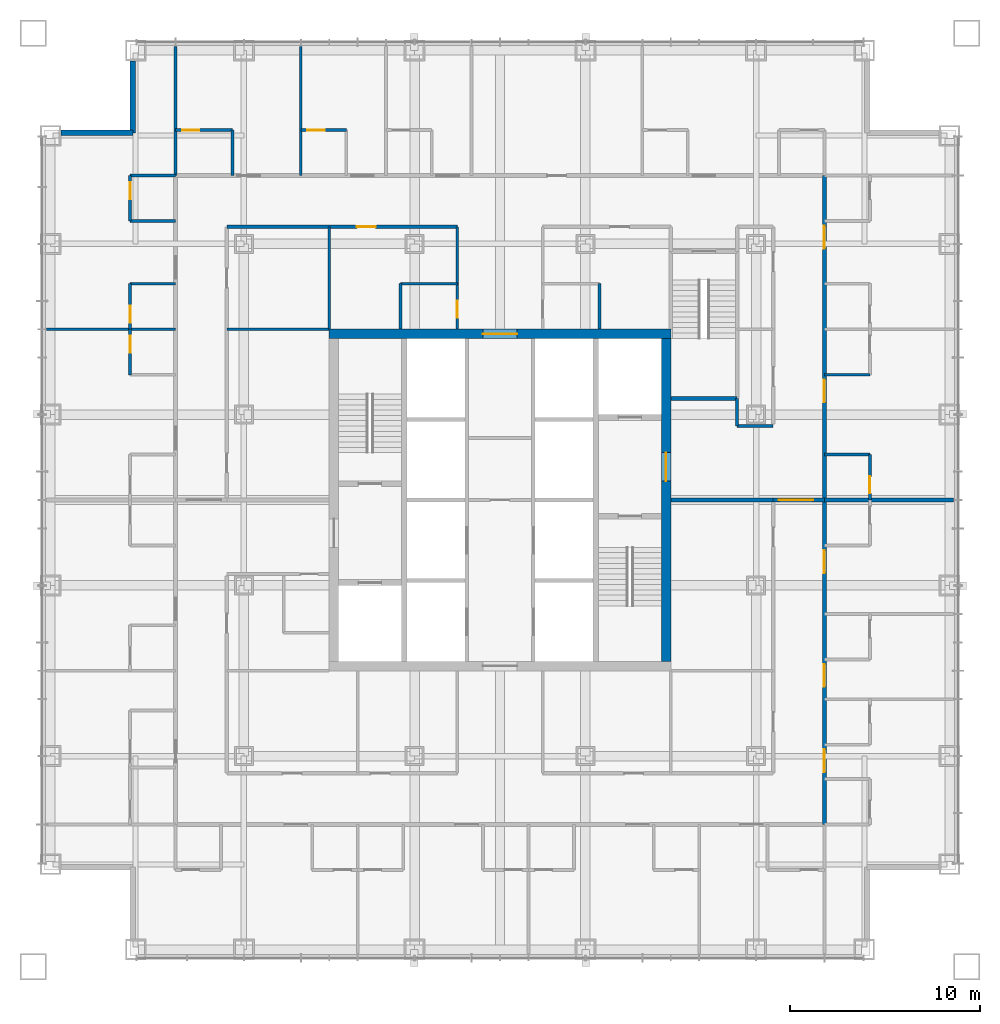
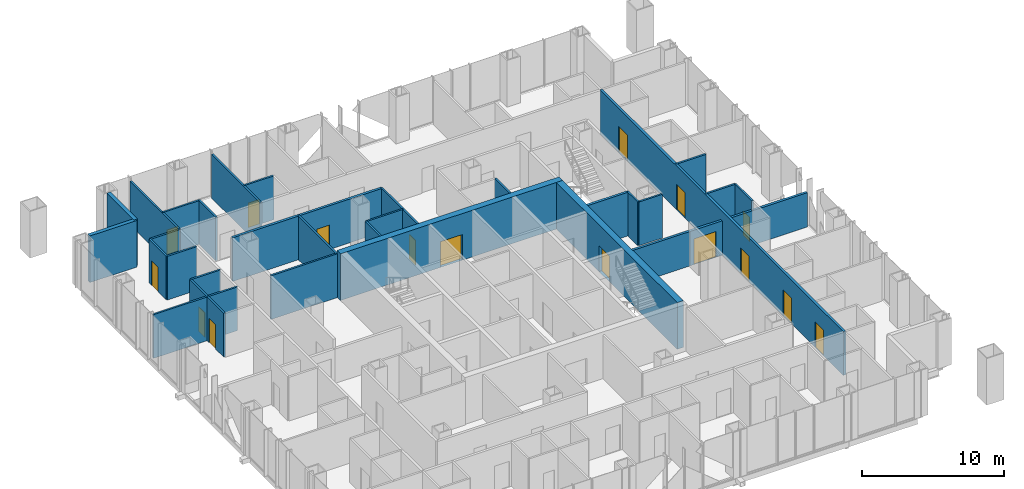
# One storey, part 11 of 16: 33 walls, 16 doors, 16 openings.
"""IFC4 building model written with IfcOpenShell, lengths in metres."""

import ifcopenshell
import ifcopenshell.guid

model = None  # the IFC model being written
_history = None  # IfcOwnerHistory: only IFC2X3 demands one
_inside = {}  # id of a spatial element -> (the spatial element, [elements in it])
_under = {}  # id of a project, library or spatial element -> (it, [spatial elements below it])
_declared = {}  # id of a project -> (the project, [libraries it declares])
_typed = {}  # id of a type object -> (the type object, [elements of that type])
_made_of = {}  # id of a material, layer set ... -> (it, [elements and type objects made of it])


def new_model(schema):
    """Start an empty IFC model of exactly this schema.

    Asked for "IFC4X3", IfcOpenShell would pick the latest addendum, in which some entities
    have other attributes; the version numbers below select the first issue.
    IFC2X3 requires an IfcOwnerHistory on every rooted entity: one is made here for all.
    """
    global model, _history
    if schema == "IFC4X3":
        model = ifcopenshell.file(schema_version=(4, 3, 0, 0))
    else:
        model = ifcopenshell.file(schema=schema)
    _inside.clear()
    _under.clear()
    _declared.clear()
    _typed.clear()
    _made_of.clear()
    _history = None
    if model.schema == "IFC2X3":
        org = make("IfcOrganization", Name="unknown")
        user = make(
            "IfcPersonAndOrganization",
            ThePerson=make("IfcPerson", FamilyName="unknown"),
            TheOrganization=org,
        )
        app = make(
            "IfcApplication",
            ApplicationDeveloper=org,
            Version="unknown",
            ApplicationFullName="unknown",
            ApplicationIdentifier="unknown",
        )
        _history = make(
            "IfcOwnerHistory",
            OwningUser=user,
            OwningApplication=app,
            ChangeAction="ADDED",
            CreationDate=0,
        )
    return model


def make(cls, **values):
    """One entity of the class cls with the attributes given. An attribute that is None is left unset."""
    return model.create_entity(
        cls, **{name: value for name, value in values.items() if value is not None}
    )


def rooted(cls, **values):
    """An entity with a GlobalId (a new one), such as an element, a storey or a relation."""
    return make(cls, GlobalId=ifcopenshell.guid.new(), OwnerHistory=_history, **values)


def si_unit(unit_type, name, prefix=None):
    """IfcSIUnit, for example si_unit("LENGTHUNIT", "METRE", prefix="MILLI")."""
    return make("IfcSIUnit", UnitType=unit_type, Prefix=prefix, Name=name)


def assignment(units):
    """IfcUnitAssignment: the units of a project."""
    return None if units is None else make("IfcUnitAssignment", Units=units)


def point(xyz):
    """IfcCartesianPoint."""
    return None if xyz is None else make("IfcCartesianPoint", Coordinates=xyz)


def direction(xyz):
    """IfcDirection."""
    return None if xyz is None else make("IfcDirection", DirectionRatios=xyz)


def frame(location, z_axis=None, x_axis=None):
    """IfcAxis2Placement3D, a coordinate frame: its origin and axes. An axis left out is left unset."""
    return make(
        "IfcAxis2Placement3D",
        Location=point(location),
        Axis=direction(z_axis),
        RefDirection=direction(x_axis),
    )


def frame_2d(location, x_axis=None):
    """IfcAxis2Placement2D, a coordinate frame in the plane: its origin and x axis."""
    return make(
        "IfcAxis2Placement2D", Location=point(location), RefDirection=direction(x_axis)
    )


def origin():
    """The frame at (0, 0, 0) with its axes left unset."""
    return frame((0.0, 0.0, 0.0))


def place(relative_to, where):
    """IfcLocalPlacement: puts the frame where relative to a parent placement (None: the world)."""
    return make(
        "IfcLocalPlacement", PlacementRelTo=relative_to, RelativePlacement=where
    )


def context(
    kind, dimensions, precision=None, world=None, true_north=None, identifier=None
):
    """IfcGeometricRepresentationContext, for example the 3D "Model" context."""
    return make(
        "IfcGeometricRepresentationContext",
        ContextIdentifier=identifier,
        ContextType=kind,
        CoordinateSpaceDimension=dimensions,
        Precision=precision,
        WorldCoordinateSystem=world,
        TrueNorth=true_north,
    )


def subcontext(parent, identifier, kind, view, scale=None):
    """IfcGeometricRepresentationSubContext, for example "Body" below "Model"."""
    return make(
        "IfcGeometricRepresentationSubContext",
        ContextIdentifier=identifier,
        ContextType=kind,
        ParentContext=parent,
        TargetScale=scale,
        TargetView=view,
    )


def project(units=None, contexts=None):
    """IfcProject with its units and contexts."""
    return rooted(
        "IfcProject",
        Name="project",
        RepresentationContexts=contexts,
        UnitsInContext=assignment(units),
    )


def spatial(cls, under=None, at=None, **own):
    """A site, building, storey or space (cls), placed at a placement, below another one or the project."""
    s = rooted(cls, ObjectPlacement=at, **own)
    if under is not None:
        _under.setdefault(under.id(), (under, []))[1].append(s)
    return s


def profile(cls, at=None, kind="AREA", **sizes):
    """A parametric profile (cls). Its sizes go by their IFC names, for example OverallWidth=200.0."""
    return make(cls, ProfileType=kind, Position=at, **sizes)


def rectangle(**sizes):
    """IfcRectangleProfileDef."""
    return profile("IfcRectangleProfileDef", **sizes)


def extrude(swept, where, along, depth):
    """IfcExtrudedAreaSolid: the profile swept, set in the frame where, extruded along a direction by depth."""
    return make(
        "IfcExtrudedAreaSolid",
        SweptArea=swept,
        Position=where,
        ExtrudedDirection=direction(along),
        Depth=depth,
    )


def shape(context_of_items, identifier, shape_type, items):
    """IfcShapeRepresentation: the items that make up one representation, for example the "Body"."""
    return make(
        "IfcShapeRepresentation",
        ContextOfItems=context_of_items,
        RepresentationIdentifier=identifier,
        RepresentationType=shape_type,
        Items=items,
    )


def material(Name=None, Category=None):
    """IfcMaterial."""
    return make("IfcMaterial", Name=Name, Category=Category)


def layer(
    of_material, thickness, ventilated=None, Name=None, Category=None, Priority=None
):
    """IfcMaterialLayer: one layer of a wall or slab, of a material (None: an air gap)."""
    return make(
        "IfcMaterialLayer",
        Material=of_material,
        LayerThickness=thickness,
        IsVentilated=ventilated,
        Name=Name,
        Category=Category,
        Priority=Priority,
    )


def layer_set(layers, Name=None):
    """IfcMaterialLayerSet."""
    return make("IfcMaterialLayerSet", MaterialLayers=layers, LayerSetName=Name)


def made_of(thing, what):
    """Note that an element or type object is made of a material, layer set ...; save() writes the relation."""
    if what is not None:
        _made_of.setdefault(what.id(), (what, []))[1].append(thing)
    return thing


def type_object(cls, material=None, **own):
    """A type object (cls), such as IfcWallType, which elements share."""
    return made_of(rooted(cls, **own), material)


def element(
    cls,
    number,
    at=None,
    inside=None,
    cuts=None,
    type_object=None,
    material=None,
    context=None,
    identifier="Body",
    shape_type=None,
    held_by="IfcProductDefinitionShape",
    body=None,
    shapes=None,
    **own,
):
    """One element of the class cls, such as IfcWall. Its Tag is "e" and its number.

    at: its placement. inside: the storey or other place that contains it. cuts: it is an
    opening in that element (IfcRelVoidsElement). A single representation is given by context,
    identifier, shape_type and body (its items); several are given by shapes. held_by: the class
    of the entity that holds the representations. save() writes the other relations.
    """
    e = rooted(cls, Tag="e%d" % number, ObjectPlacement=at, **own)
    if body is not None:
        shapes = [shape(context, identifier, shape_type, body)]
    if shapes is not None:
        e.Representation = make(held_by, Representations=shapes)
    if inside is not None:
        _inside.setdefault(inside.id(), (inside, []))[1].append(e)
    if cuts is not None:
        rooted(
            "IfcRelVoidsElement", RelatingBuildingElement=cuts, RelatedOpeningElement=e
        )
    if type_object is not None:
        _typed.setdefault(type_object.id(), (type_object, []))[1].append(e)
    return made_of(e, material)


def fill(opening, filler):
    """IfcRelFillsElement: the door or window that sits in an opening."""
    return rooted(
        "IfcRelFillsElement",
        RelatingOpeningElement=opening,
        RelatedBuildingElement=filler,
    )


def aggregate(whole, parts):
    """IfcRelAggregates: a whole, such as a stair, and the parts it consists of."""
    return rooted("IfcRelAggregates", RelatingObject=whole, RelatedObjects=parts)


def save(model, path):
    """Write the relations noted so far, then the file.

    IfcRelAggregates (storeys below a building ...), IfcRelContainedInSpatialStructure (elements
    in a storey), IfcRelDefinesByType, IfcRelAssociatesMaterial and IfcRelDeclares: one each for
    every whole, place, type object, material and project.
    """
    for whole, parts in _under.values():
        aggregate(whole, parts)
    for where, things in _inside.values():
        rooted(
            "IfcRelContainedInSpatialStructure",
            RelatedElements=things,
            RelatingStructure=where,
        )
    for kind, things in _typed.values():
        rooted("IfcRelDefinesByType", RelatedObjects=things, RelatingType=kind)
    for what, things in _made_of.values():
        rooted("IfcRelAssociatesMaterial", RelatedObjects=things, RelatingMaterial=what)
    for by, libraries in _declared.values():
        rooted("IfcRelDeclares", RelatingContext=by, RelatedDefinitions=libraries)
    model.write(path)


model = new_model("IFC4")

# Units and contexts
model_context = context("Model", 3, precision=1e-05, world=origin(), true_north=direction((0.0, 1.0)))
body_context = subcontext(model_context, "Body", "Model", "MODEL_VIEW")
ifc_project = project(units=[si_unit("LENGTHUNIT", "METRE"), si_unit("AREAUNIT", "SQUARE_METRE"), si_unit("VOLUMEUNIT", "CUBIC_METRE"), si_unit("PLANEANGLEUNIT", "RADIAN"), si_unit("MASSUNIT", "GRAM", prefix="KILO")], contexts=[model_context])

# Site, building, storey
site_placement = place(None, origin())
site = spatial("IfcSite", under=ifc_project, at=site_placement, CompositionType="ELEMENT")
building_placement = place(site_placement, origin())
building = spatial("IfcBuilding", under=site, at=building_placement, Name="Malebo Sky Hospital", CompositionType="ELEMENT")
storey_placement = place(building_placement, frame((0.0, 0.0, 116.0)))
storey = spatial("IfcBuildingStorey", under=building, at=storey_placement, Name="L27", CompositionType="ELEMENT", Elevation=116.0)

# Wall, opening, door
ifc_material_1 = material(Name="Concrete C80/95", Category="concrete")
ifc_layer_1 = layer(ifc_material_1, 0.5)
ifc_layer_set_1 = layer_set([ifc_layer_1], Name="CORE WALL 500")
wall_type_1 = type_object("IfcWallType", Name="CORE WALL 500", PredefinedType="SHEAR", material=ifc_layer_set_1)
wall_1_placement = place(storey_placement, frame((51.0, 70.75, 0.0), z_axis=(0.0, 0.0, 1.0), x_axis=(1.0, 0.0, 0.0)))
wall_1 = element("IfcWall", 1, at=wall_1_placement, inside=storey, type_object=wall_type_1, Name="Core wall N L27", PredefinedType="SHEAR", context=body_context, shape_type="SweptSolid", body=[
    extrude(rectangle(XDim=18.0, YDim=0.5, at=frame_2d((9.0, 0.0))), origin(), (0.0, 0.0, 1.0), 4.0),
])
opening_1_placement = place(wall_1_placement, frame((8.10009765625, 0.0, 0.0)))
opening_1 = element("IfcOpeningElement", 2, at=opening_1_placement, cuts=wall_1, Name="Opening D06", PredefinedType="OPENING", context=body_context, shape_type="SweptSolid", body=[
    extrude(rectangle(XDim=1.800048828125, YDim=2.199951171875, at=frame_2d((0.89990234375, 1.10009765625))), frame((0.0, 0.260009765625, 0.0), z_axis=(0.0, -1.0, 0.0), x_axis=(1.0, 0.0, 0.0)), (0.0, 0.0, 1.0), 0.52001953125),
])
ifc_material_2 = material(Name="Hardwood-faced door leaf in steel frame", Category="steel")
door_type_1 = type_object("IfcDoorType", Name="LOBBY DOOR PAIR 1800", OperationType="DOUBLE_DOOR_SINGLE_SWING", PredefinedType="DOOR", material=ifc_material_2)
door_1_placement = place(opening_1_placement, origin())
door_1 = element("IfcDoor", 3, at=door_1_placement, inside=storey, type_object=door_type_1, Name="staff rest room door north", OperationType="DOUBLE_DOOR_SINGLE_SWING", OverallHeight=2.199951171875, OverallWidth=1.800048828125, PredefinedType="DOOR", context=body_context, shape_type="SweptSolid", body=[
    extrude(rectangle(XDim=1.800048828125, YDim=2.199951171875, at=frame_2d((0.89990234375, 1.10009765625))), frame((0.0, 0.02490234375, 0.0), z_axis=(0.0, -1.0, 0.0), x_axis=(1.0, 0.0, 0.0)), (0.0, 0.0, 1.0), 0.050048828125),
])
fill(opening_1, door_1)

wall_2_placement = place(storey_placement, frame((68.75, 53.5, 0.0), z_axis=(0.0, 0.0, 1.0), x_axis=(0.0, 1.0, 0.0)))
wall_2 = element("IfcWall", 4, at=wall_2_placement, inside=storey, type_object=wall_type_1, Name="Core wall E L27", PredefinedType="SHEAR", context=body_context, shape_type="SweptSolid", body=[
    extrude(rectangle(XDim=17.0, YDim=0.5, at=frame_2d((8.5, 0.0))), origin(), (0.0, 0.0, 1.0), 4.0),
])
opening_2_placement = place(wall_2_placement, frame((9.5, 0.0, 0.0)))
opening_2 = element("IfcOpeningElement", 5, at=opening_2_placement, cuts=wall_2, Name="Opening D07", PredefinedType="OPENING", context=body_context, shape_type="SweptSolid", body=[
    extrude(rectangle(XDim=1.5, YDim=2.199951171875, at=frame_2d((0.75, 1.10009765625))), frame((0.0, 0.260009765625, 0.0), z_axis=(0.0, -1.0, 0.0), x_axis=(1.0, 0.0, 0.0)), (0.0, 0.0, 1.0), 0.52001953125),
])
door_type_2 = type_object("IfcDoorType", Name="FIRE-FIGHTING LOBBY DOOR PAIR 1500", OperationType="DOUBLE_DOOR_SINGLE_SWING", PredefinedType="DOOR", material=ifc_material_2)
door_2_placement = place(opening_2_placement, origin())
door_2 = element("IfcDoor", 6, at=door_2_placement, inside=storey, type_object=door_type_2, Name="Fire-fighting lobby door east", OperationType="DOUBLE_DOOR_SINGLE_SWING", OverallHeight=2.199951171875, OverallWidth=1.5, PredefinedType="DOOR", context=body_context, shape_type="SweptSolid", body=[
    extrude(rectangle(XDim=1.5, YDim=2.199951171875, at=frame_2d((0.75, 1.10009765625))), frame((0.0, 0.02490234375, 0.0), z_axis=(0.0, -1.0, 0.0), x_axis=(1.0, 0.0, 0.0)), (0.0, 0.0, 1.0), 0.050048828125),
])
fill(opening_2, door_2)

ifc_material_3 = material(Name="Gypsum board on steel studs", Category="steel")
ifc_layer_2 = layer(ifc_material_3, 0.199951171875)
ifc_layer_set_2 = layer_set([ifc_layer_2], Name="CORRIDOR WALL 200")
wall_type_2 = type_object("IfcWallType", Name="CORRIDOR WALL 200", PredefinedType="PARTITIONING", material=ifc_layer_set_2)
wall_3_placement = place(storey_placement, frame((45.60009765625, 76.39990234375, 0.0), z_axis=(0.0, 0.0, 1.0), x_axis=(1.0, 0.0, 0.0)))
wall_3 = element("IfcWall", 7, at=wall_3_placement, inside=storey, type_object=wall_type_2, Name="Corridor Wall 200 NCI1", PredefinedType="PARTITIONING", context=body_context, shape_type="SweptSolid", body=[
    extrude(rectangle(XDim=12.14990234375, YDim=0.199951171875, at=frame_2d((6.074951171875, 0.0))), origin(), (0.0, 0.0, 1.0), 3.75),
])
opening_3_placement = place(wall_3_placement, frame((6.85009765625, 0.0, 0.0)))
opening_3 = element("IfcOpeningElement", 8, at=opening_3_placement, cuts=wall_3, Name="Opening D03", PredefinedType="OPENING", context=body_context, shape_type="SweptSolid", body=[
    extrude(rectangle(XDim=1.0, YDim=2.10009765625, at=frame_2d((0.5, 1.050048828125))), frame((0.0, 0.10986328125, 0.0), z_axis=(0.0, -1.0, 0.0), x_axis=(1.0, 0.0, 0.0)), (0.0, 0.0, 1.0), 0.219970703125),
])
door_type_3 = type_object("IfcDoorType", Name="ROOM DOOR 1000", OperationType="SINGLE_SWING_LEFT", PredefinedType="DOOR", material=ifc_material_2)
door_3_placement = place(opening_3_placement, origin())
door_3 = element("IfcDoor", 9, at=door_3_placement, inside=storey, type_object=door_type_3, Name="Interview room door", OperationType="SINGLE_SWING_LEFT", OverallHeight=2.10009765625, OverallWidth=1.0, PredefinedType="DOOR", context=body_context, shape_type="SweptSolid", body=[
    extrude(rectangle(XDim=1.0, YDim=2.10009765625, at=frame_2d((0.5, 1.050048828125))), frame((0.0, 0.02490234375, 0.0), z_axis=(0.0, -1.0, 0.0), x_axis=(1.0, 0.0, 0.0)), (0.0, 0.0, 1.0), 0.050048828125),
])
fill(opening_3, door_3)

# Wall, openings, doors
wall_4_placement = place(storey_placement, frame((77.10009765625, 79.10009765625, 0.0), z_axis=(0.0, 0.0, 1.0), x_axis=(0.0, -1.0, 0.0)))
wall_4 = element("IfcWall", 10, at=wall_4_placement, inside=storey, type_object=wall_type_2, Name="Corridor Wall 200 ECO", PredefinedType="PARTITIONING", context=body_context, shape_type="SweptSolid", body=[
    extrude(rectangle(XDim=34.2001953125, YDim=0.199951171875, at=frame_2d((17.10009765625, 0.0))), origin(), (0.0, 0.0, 1.0), 3.75),
])
opening_4_placement = place(wall_4_placement, frame((2.64990234375, 0.0, 0.0)))
opening_4 = element("IfcOpeningElement", 11, at=opening_4_placement, cuts=wall_4, Name="Opening D01", PredefinedType="OPENING", context=body_context, shape_type="SweptSolid", body=[
    extrude(rectangle(XDim=1.199951171875, YDim=2.199951171875, at=frame_2d((0.60009765625, 1.10009765625))), frame((0.0, 0.10986328125, 0.0), z_axis=(0.0, -1.0, 0.0), x_axis=(1.0, 0.0, 0.0)), (0.0, 0.0, 1.0), 0.219970703125),
])
opening_5_placement = place(wall_4_placement, frame((10.75, 0.0, 0.0)))
opening_5 = element("IfcOpeningElement", 12, at=opening_5_placement, cuts=wall_4, Name="Opening D01", PredefinedType="OPENING", context=body_context, shape_type="SweptSolid", body=[
    extrude(rectangle(XDim=1.199951171875, YDim=2.199951171875, at=frame_2d((0.60009765625, 1.10009765625))), frame((0.0, 0.10986328125, 0.0), z_axis=(0.0, -1.0, 0.0), x_axis=(1.0, 0.0, 0.0)), (0.0, 0.0, 1.0), 0.219970703125),
])
opening_6_placement = place(wall_4_placement, frame((19.75, 0.0, 0.0)))
opening_6 = element("IfcOpeningElement", 13, at=opening_6_placement, cuts=wall_4, Name="Opening D01", PredefinedType="OPENING", context=body_context, shape_type="SweptSolid", body=[
    extrude(rectangle(XDim=1.199951171875, YDim=2.199951171875, at=frame_2d((0.60009765625, 1.10009765625))), frame((0.0, 0.10986328125, 0.0), z_axis=(0.0, -1.0, 0.0), x_axis=(1.0, 0.0, 0.0)), (0.0, 0.0, 1.0), 0.219970703125),
])
opening_7_placement = place(wall_4_placement, frame((25.75, 0.0, 0.0)))
opening_7 = element("IfcOpeningElement", 14, at=opening_7_placement, cuts=wall_4, Name="Opening D01", PredefinedType="OPENING", context=body_context, shape_type="SweptSolid", body=[
    extrude(rectangle(XDim=1.199951171875, YDim=2.199951171875, at=frame_2d((0.60009765625, 1.10009765625))), frame((0.0, 0.10986328125, 0.0), z_axis=(0.0, -1.0, 0.0), x_axis=(1.0, 0.0, 0.0)), (0.0, 0.0, 1.0), 0.219970703125),
])
opening_8_placement = place(wall_4_placement, frame((30.25, 0.0, 0.0)))
opening_8 = element("IfcOpeningElement", 15, at=opening_8_placement, cuts=wall_4, Name="Opening D01", PredefinedType="OPENING", context=body_context, shape_type="SweptSolid", body=[
    extrude(rectangle(XDim=1.199951171875, YDim=2.199951171875, at=frame_2d((0.60009765625, 1.10009765625))), frame((0.0, 0.10986328125, 0.0), z_axis=(0.0, -1.0, 0.0), x_axis=(1.0, 0.0, 0.0)), (0.0, 0.0, 1.0), 0.219970703125),
])
door_type_4 = type_object("IfcDoorType", Name="BED DOOR 1200", OperationType="SINGLE_SWING_LEFT", PredefinedType="DOOR", material=ifc_material_2)
door_4_placement = place(opening_4_placement, origin())
door_4 = element("IfcDoor", 16, at=door_4_placement, inside=storey, type_object=door_type_4, Name="Four-bed bay door", OperationType="SINGLE_SWING_LEFT", OverallHeight=2.199951171875, OverallWidth=1.199951171875, PredefinedType="DOOR", context=body_context, shape_type="SweptSolid", body=[
    extrude(rectangle(XDim=1.199951171875, YDim=2.199951171875, at=frame_2d((0.60009765625, 1.10009765625))), frame((0.0, 0.02490234375, 0.0), z_axis=(0.0, -1.0, 0.0), x_axis=(1.0, 0.0, 0.0)), (0.0, 0.0, 1.0), 0.050048828125),
])
fill(opening_4, door_4)
door_5_placement = place(opening_5_placement, origin())
door_5 = element("IfcDoor", 17, at=door_5_placement, inside=storey, type_object=door_type_4, Name="Four-bed bay door", OperationType="SINGLE_SWING_LEFT", OverallHeight=2.199951171875, OverallWidth=1.199951171875, PredefinedType="DOOR", context=body_context, shape_type="SweptSolid", body=[
    extrude(rectangle(XDim=1.199951171875, YDim=2.199951171875, at=frame_2d((0.60009765625, 1.10009765625))), frame((0.0, 0.02490234375, 0.0), z_axis=(0.0, -1.0, 0.0), x_axis=(1.0, 0.0, 0.0)), (0.0, 0.0, 1.0), 0.050048828125),
])
fill(opening_5, door_5)
door_6_placement = place(opening_6_placement, origin())
door_6 = element("IfcDoor", 18, at=door_6_placement, inside=storey, type_object=door_type_4, Name="Single bed room door", OperationType="SINGLE_SWING_LEFT", OverallHeight=2.199951171875, OverallWidth=1.199951171875, PredefinedType="DOOR", context=body_context, shape_type="SweptSolid", body=[
    extrude(rectangle(XDim=1.199951171875, YDim=2.199951171875, at=frame_2d((0.60009765625, 1.10009765625))), frame((0.0, 0.02490234375, 0.0), z_axis=(0.0, -1.0, 0.0), x_axis=(1.0, 0.0, 0.0)), (0.0, 0.0, 1.0), 0.050048828125),
])
fill(opening_6, door_6)
door_7_placement = place(opening_7_placement, origin())
door_7 = element("IfcDoor", 19, at=door_7_placement, inside=storey, type_object=door_type_4, Name="Single bed room door", OperationType="SINGLE_SWING_LEFT", OverallHeight=2.199951171875, OverallWidth=1.199951171875, PredefinedType="DOOR", context=body_context, shape_type="SweptSolid", body=[
    extrude(rectangle(XDim=1.199951171875, YDim=2.199951171875, at=frame_2d((0.60009765625, 1.10009765625))), frame((0.0, 0.02490234375, 0.0), z_axis=(0.0, -1.0, 0.0), x_axis=(1.0, 0.0, 0.0)), (0.0, 0.0, 1.0), 0.050048828125),
])
fill(opening_7, door_7)
door_8_placement = place(opening_8_placement, origin())
door_8 = element("IfcDoor", 20, at=door_8_placement, inside=storey, type_object=door_type_4, Name="Four-bed bay door", OperationType="SINGLE_SWING_LEFT", OverallHeight=2.199951171875, OverallWidth=1.199951171875, PredefinedType="DOOR", context=body_context, shape_type="SweptSolid", body=[
    extrude(rectangle(XDim=1.199951171875, YDim=2.199951171875, at=frame_2d((0.60009765625, 1.10009765625))), frame((0.0, 0.02490234375, 0.0), z_axis=(0.0, -1.0, 0.0), x_axis=(1.0, 0.0, 0.0)), (0.0, 0.0, 1.0), 0.050048828125),
])
fill(opening_8, door_8)

# Walls
ifc_material_4 = material(Name="Anodised aluminium rainscreen on steel framing", Category="steel")
ifc_layer_3 = layer(ifc_material_4, 0.300048828125)
ifc_layer_set_3 = layer_set([ifc_layer_3], Name="NOTCH RAINSCREEN WALL 300")
wall_type_3 = type_object("IfcWallType", Name="NOTCH RAINSCREEN WALL 300", PredefinedType="ELEMENTEDWALL", material=ifc_layer_set_3)
for number, where, z_axis, x_axis, name in (
    (21, (36.85009765625, 81.35009765625, 0.0), (0.0, 0.0, 1.0), (1.0, 0.0, 0.0), "Notch rainscreen wall W1 L27"),
    (22, (40.64990234375, 81.35009765625, 0.0), (0.0, 0.0, 1.0), (0.0, 1.0, 0.0), "Notch rainscreen wall W2 L27"),
):
    element("IfcWall", number, at=place(storey_placement, frame(where, z_axis=z_axis, x_axis=x_axis)), inside=storey, type_object=wall_type_3, Name=name, PredefinedType="ELEMENTEDWALL", context=body_context, shape_type="SweptSolid", body=[
        extrude(rectangle(XDim=3.7998046875, YDim=0.300048828125, at=frame_2d((1.89990234375, 0.0))), origin(), (0.0, 0.0, 1.0), 4.0),
    ])
ifc_layer_4 = layer(ifc_material_3, 0.14990234375)
ifc_layer_set_4 = layer_set([ifc_layer_4], Name="PARTITION 150")
wall_type_4 = type_object("IfcWallType", Name="PARTITION 150", PredefinedType="PARTITIONING", material=ifc_layer_set_4)
for number, where, z_axis, x_axis, name in (
    (23, (49.5, 79.10009765625, 0.0), (0.0, 0.0, 1.0), (0.0, 1.0, 0.0), "Partition 150 NP-10.5"),
    (24, (42.89990234375, 79.10009765625, 0.0), (0.0, 0.0, 1.0), (0.0, 1.0, 0.0), "Partition 150 NP0"),
):
    element("IfcWall", number, at=place(storey_placement, frame(where, z_axis=z_axis, x_axis=x_axis)), inside=storey, type_object=wall_type_4, Name=name, PredefinedType="PARTITIONING", context=body_context, shape_type="SweptSolid", body=[
        extrude(rectangle(XDim=6.809814453125, YDim=0.14990234375, at=frame_2d((3.40478515625, 0.0))), origin(), (0.0, 0.0, 1.0), 3.75),
    ])

# Wall, opening, door
wall_5_placement = place(storey_placement, frame((42.89990234375, 81.5, 0.0), z_axis=(0.0, 0.0, 1.0), x_axis=(1.0, 0.0, 0.0)))
wall_5 = element("IfcWall", 25, at=wall_5_placement, inside=storey, type_object=wall_type_4, Name="Partition 150 NE0F", PredefinedType="PARTITIONING", context=body_context, shape_type="SweptSolid", body=[
    extrude(rectangle(XDim=3.0, YDim=0.14990234375, at=frame_2d((1.5, 0.0))), origin(), (0.0, 0.0, 1.0), 3.75),
])
opening_9_placement = place(wall_5_placement, frame((0.35009765625, 0.0, 0.0)))
opening_9 = element("IfcOpeningElement", 26, at=opening_9_placement, cuts=wall_5, Name="Opening D02", PredefinedType="OPENING", context=body_context, shape_type="SweptSolid", body=[
    extrude(rectangle(XDim=0.89990234375, YDim=2.10009765625, at=frame_2d((0.449951171875, 1.050048828125))), frame((0.0, 0.0849609375, 0.0), z_axis=(0.0, -1.0, 0.0), x_axis=(1.0, 0.0, 0.0)), (0.0, 0.0, 1.0), 0.169921875),
])
door_type_5 = type_object("IfcDoorType", Name="EN-SUITE DOOR 900", OperationType="SINGLE_SWING_LEFT", PredefinedType="DOOR", material=ifc_material_2)
door_9_placement = place(opening_9_placement, origin())
door_9 = element("IfcDoor", 27, at=door_9_placement, inside=storey, type_object=door_type_5, Name="En-suite door", OperationType="SINGLE_SWING_LEFT", OverallHeight=2.10009765625, OverallWidth=0.89990234375, PredefinedType="DOOR", context=body_context, shape_type="SweptSolid", body=[
    extrude(rectangle(XDim=0.89990234375, YDim=2.10009765625, at=frame_2d((0.449951171875, 1.050048828125))), frame((0.0, 0.02490234375, 0.0), z_axis=(0.0, -1.0, 0.0), x_axis=(1.0, 0.0, 0.0)), (0.0, 0.0, 1.0), 0.050048828125),
])
fill(opening_9, door_9)

# Wall
wall_6_placement = place(storey_placement, frame((45.89990234375, 79.10009765625, 0.0), z_axis=(0.0, 0.0, 1.0), x_axis=(0.0, 1.0, 0.0)))
element("IfcWall", 28, at=wall_6_placement, inside=storey, type_object=wall_type_4, Name="Partition 150 NE0S", PredefinedType="PARTITIONING", context=body_context, shape_type="SweptSolid", body=[
    extrude(rectangle(XDim=2.39990234375, YDim=0.14990234375, at=frame_2d((1.199951171875, 0.0))), origin(), (0.0, 0.0, 1.0), 3.75),
])

# Wall, opening, door
wall_7_placement = place(storey_placement, frame((49.5, 81.5, 0.0), z_axis=(0.0, 0.0, 1.0), x_axis=(1.0, 0.0, 0.0)))
wall_7 = element("IfcWall", 29, at=wall_7_placement, inside=storey, type_object=wall_type_4, Name="Partition 150 NE1F", PredefinedType="PARTITIONING", context=body_context, shape_type="SweptSolid", body=[
    extrude(rectangle(XDim=2.39990234375, YDim=0.14990234375, at=frame_2d((1.199951171875, 0.0))), origin(), (0.0, 0.0, 1.0), 3.75),
])
opening_10_placement = place(wall_7_placement, frame((0.35009765625, 0.0, 0.0)))
opening_10 = element("IfcOpeningElement", 30, at=opening_10_placement, cuts=wall_7, Name="Opening D02", PredefinedType="OPENING", context=body_context, shape_type="SweptSolid", body=[
    extrude(rectangle(XDim=0.89990234375, YDim=2.10009765625, at=frame_2d((0.449951171875, 1.050048828125))), frame((0.0, 0.0849609375, 0.0), z_axis=(0.0, -1.0, 0.0), x_axis=(1.0, 0.0, 0.0)), (0.0, 0.0, 1.0), 0.169921875),
])
door_10_placement = place(opening_10_placement, origin())
door_10 = element("IfcDoor", 31, at=door_10_placement, inside=storey, type_object=door_type_5, Name="En-suite door", OperationType="SINGLE_SWING_LEFT", OverallHeight=2.10009765625, OverallWidth=0.89990234375, PredefinedType="DOOR", context=body_context, shape_type="SweptSolid", body=[
    extrude(rectangle(XDim=0.89990234375, YDim=2.10009765625, at=frame_2d((0.449951171875, 1.050048828125))), frame((0.0, 0.02490234375, 0.0), z_axis=(0.0, -1.0, 0.0), x_axis=(1.0, 0.0, 0.0)), (0.0, 0.0, 1.0), 0.050048828125),
])
fill(opening_10, door_10)

# Wall
wall_8_placement = place(storey_placement, frame((51.0, 71.0, 0.0), z_axis=(0.0, 0.0, 1.0), x_axis=(0.0, 1.0, 0.0)))
element("IfcWall", 32, at=wall_8_placement, inside=storey, type_object=wall_type_4, Name="Partition 150 NSP0", PredefinedType="PARTITIONING", context=body_context, shape_type="SweptSolid", body=[
    extrude(rectangle(XDim=5.39990234375, YDim=0.14990234375, at=frame_2d((2.699951171875, 0.0))), origin(), (0.0, 0.0, 1.0), 3.75),
])

# Wall, opening, door
wall_9_placement = place(storey_placement, frame((57.75, 71.0, 0.0), z_axis=(0.0, 0.0, 1.0), x_axis=(0.0, 1.0, 0.0)))
wall_9 = element("IfcWall", 33, at=wall_9_placement, inside=storey, type_object=wall_type_4, Name="Partition 150 NSPA", PredefinedType="PARTITIONING", context=body_context, shape_type="SweptSolid", body=[
    extrude(rectangle(XDim=5.39990234375, YDim=0.14990234375, at=frame_2d((2.699951171875, 0.0))), origin(), (0.0, 0.0, 1.0), 3.75),
])
opening_11_placement = place(wall_9_placement, frame((0.60009765625, 0.0, 0.0)))
opening_11 = element("IfcOpeningElement", 34, at=opening_11_placement, cuts=wall_9, Name="Opening D04", PredefinedType="OPENING", context=body_context, shape_type="SweptSolid", body=[
    extrude(rectangle(XDim=0.89990234375, YDim=2.10009765625, at=frame_2d((0.449951171875, 1.050048828125))), frame((0.0, 0.0849609375, 0.0), z_axis=(0.0, -1.0, 0.0), x_axis=(1.0, 0.0, 0.0)), (0.0, 0.0, 1.0), 0.169921875),
])
door_type_6 = type_object("IfcDoorType", Name="ROOM DOOR 900", OperationType="SINGLE_SWING_LEFT", PredefinedType="DOOR", material=ifc_material_2)
door_11_placement = place(opening_11_placement, origin())
door_11 = element("IfcDoor", 35, at=door_11_placement, inside=storey, type_object=door_type_6, Name="Staff WC door", OperationType="SINGLE_SWING_LEFT", OverallHeight=2.10009765625, OverallWidth=0.89990234375, PredefinedType="DOOR", context=body_context, shape_type="SweptSolid", body=[
    extrude(rectangle(XDim=0.89990234375, YDim=2.10009765625, at=frame_2d((0.449951171875, 1.050048828125))), frame((0.0, 0.02490234375, 0.0), z_axis=(0.0, -1.0, 0.0), x_axis=(1.0, 0.0, 0.0)), (0.0, 0.0, 1.0), 0.050048828125),
])
fill(opening_11, door_11)

# Walls
wall_10_placement = place(storey_placement, frame((54.75, 73.39990234375, 0.0), z_axis=(0.0, 0.0, 1.0), x_axis=(1.0, 0.0, 0.0)))
element("IfcWall", 36, at=wall_10_placement, inside=storey, type_object=wall_type_4, Name="Partition 150 NSX0", PredefinedType="PARTITIONING", context=body_context, shape_type="SweptSolid", body=[
    extrude(rectangle(XDim=3.0, YDim=0.14990234375, at=frame_2d((1.5, 0.0))), origin(), (0.0, 0.0, 1.0), 3.75),
])
for number, where, z_axis, x_axis, name in (
    (37, (54.75, 71.0, 0.0), (0.0, 0.0, 1.0), (0.0, 1.0, 0.0), "Partition 150 NSY0"),
    (38, (65.25, 71.0, 0.0), (0.0, 0.0, 1.0), (0.0, 1.0, 0.0), "Partition 150 NSY1"),
):
    element("IfcWall", number, at=place(storey_placement, frame(where, z_axis=z_axis, x_axis=x_axis)), inside=storey, type_object=wall_type_4, Name=name, PredefinedType="PARTITIONING", context=body_context, shape_type="SweptSolid", body=[
        extrude(rectangle(XDim=2.39990234375, YDim=0.14990234375, at=frame_2d((1.199951171875, 0.0))), origin(), (0.0, 0.0, 1.0), 3.75),
    ])
wall_11_placement = place(storey_placement, frame((42.89990234375, 71.0, 0.0), z_axis=(0.0, 0.0, 1.0), x_axis=(-1.0, 0.0, 0.0)))
element("IfcWall", 39, at=wall_11_placement, inside=storey, type_object=wall_type_4, Name="Partition 150 WP+9.0", PredefinedType="PARTITIONING", context=body_context, shape_type="SweptSolid", body=[
    extrude(rectangle(XDim=6.809814453125, YDim=0.14990234375, at=frame_2d((3.40478515625, 0.0))), origin(), (0.0, 0.0, 1.0), 3.75),
])

# Wall, opening, door
wall_12_placement = place(storey_placement, frame((40.5, 68.60009765625, 0.0), z_axis=(0.0, 0.0, 1.0), x_axis=(0.0, 1.0, 0.0)))
wall_12 = element("IfcWall", 40, at=wall_12_placement, inside=storey, type_object=wall_type_4, Name="Partition 150 WG2F", PredefinedType="PARTITIONING", context=body_context, shape_type="SweptSolid", body=[
    extrude(rectangle(XDim=2.39990234375, YDim=0.14990234375, at=frame_2d((1.199951171875, 0.0))), origin(), (0.0, 0.0, 1.0), 3.75),
])
opening_12_placement = place(wall_12_placement, frame((1.14990234375, 0.0, 0.0)))
opening_12 = element("IfcOpeningElement", 41, at=opening_12_placement, cuts=wall_12, Name="Opening D02", PredefinedType="OPENING", context=body_context, shape_type="SweptSolid", body=[
    extrude(rectangle(XDim=0.89990234375, YDim=2.10009765625, at=frame_2d((0.449951171875, 1.050048828125))), frame((0.0, 0.0849609375, 0.0), z_axis=(0.0, -1.0, 0.0), x_axis=(1.0, 0.0, 0.0)), (0.0, 0.0, 1.0), 0.169921875),
])
door_12_placement = place(opening_12_placement, origin())
door_12 = element("IfcDoor", 42, at=door_12_placement, inside=storey, type_object=door_type_5, Name="En-suite door", OperationType="SINGLE_SWING_RIGHT", OverallHeight=2.10009765625, OverallWidth=0.89990234375, PredefinedType="DOOR", context=body_context, shape_type="SweptSolid", body=[
    extrude(rectangle(XDim=0.89990234375, YDim=2.10009765625, at=frame_2d((0.449951171875, 1.050048828125))), frame((0.0, 0.02490234375, 0.0), z_axis=(0.0, -1.0, 0.0), x_axis=(1.0, 0.0, 0.0)), (0.0, 0.0, 1.0), 0.050048828125),
])
fill(opening_12, door_12)

wall_13_placement = place(storey_placement, frame((40.5, 71.0, 0.0), z_axis=(0.0, 0.0, 1.0), x_axis=(0.0, 1.0, 0.0)))
wall_13 = element("IfcWall", 43, at=wall_13_placement, inside=storey, type_object=wall_type_4, Name="Partition 150 WE3F", PredefinedType="PARTITIONING", context=body_context, shape_type="SweptSolid", body=[
    extrude(rectangle(XDim=2.39990234375, YDim=0.14990234375, at=frame_2d((1.199951171875, 0.0))), origin(), (0.0, 0.0, 1.0), 3.75),
])
opening_13_placement = place(wall_13_placement, frame((0.35009765625, 0.0, 0.0)))
opening_13 = element("IfcOpeningElement", 44, at=opening_13_placement, cuts=wall_13, Name="Opening D02", PredefinedType="OPENING", context=body_context, shape_type="SweptSolid", body=[
    extrude(rectangle(XDim=0.89990234375, YDim=2.10009765625, at=frame_2d((0.449951171875, 1.050048828125))), frame((0.0, 0.0849609375, 0.0), z_axis=(0.0, -1.0, 0.0), x_axis=(1.0, 0.0, 0.0)), (0.0, 0.0, 1.0), 0.169921875),
])
door_13_placement = place(opening_13_placement, origin())
door_13 = element("IfcDoor", 45, at=door_13_placement, inside=storey, type_object=door_type_5, Name="En-suite door", OperationType="SINGLE_SWING_LEFT", OverallHeight=2.10009765625, OverallWidth=0.89990234375, PredefinedType="DOOR", context=body_context, shape_type="SweptSolid", body=[
    extrude(rectangle(XDim=0.89990234375, YDim=2.10009765625, at=frame_2d((0.449951171875, 1.050048828125))), frame((0.0, 0.02490234375, 0.0), z_axis=(0.0, -1.0, 0.0), x_axis=(1.0, 0.0, 0.0)), (0.0, 0.0, 1.0), 0.050048828125),
])
fill(opening_13, door_13)

# Wall
wall_14_placement = place(storey_placement, frame((42.89990234375, 73.39990234375, 0.0), z_axis=(0.0, 0.0, 1.0), x_axis=(-1.0, 0.0, 0.0)))
element("IfcWall", 46, at=wall_14_placement, inside=storey, type_object=wall_type_4, Name="Partition 150 WE3S", PredefinedType="PARTITIONING", context=body_context, shape_type="SweptSolid", body=[
    extrude(rectangle(XDim=2.39990234375, YDim=0.14990234375, at=frame_2d((1.199951171875, 0.0))), origin(), (0.0, 0.0, 1.0), 3.75),
])

# Wall, opening, door
wall_15_placement = place(storey_placement, frame((40.5, 76.699951171875, 0.0), z_axis=(0.0, 0.0, 1.0), x_axis=(0.0, 1.0, 0.0)))
wall_15 = element("IfcWall", 47, at=wall_15_placement, inside=storey, type_object=wall_type_4, Name="Partition 150 WG3F", PredefinedType="PARTITIONING", context=body_context, shape_type="SweptSolid", body=[
    extrude(rectangle(XDim=2.400146484375, YDim=0.14990234375, at=frame_2d((1.2001953125, 0.0))), origin(), (0.0, 0.0, 1.0), 3.75),
])
opening_14_placement = place(wall_15_placement, frame((1.14990234375, 0.0, 0.0)))
opening_14 = element("IfcOpeningElement", 48, at=opening_14_placement, cuts=wall_15, Name="Opening D02", PredefinedType="OPENING", context=body_context, shape_type="SweptSolid", body=[
    extrude(rectangle(XDim=0.89990234375, YDim=2.10009765625, at=frame_2d((0.449951171875, 1.050048828125))), frame((0.0, 0.0849609375, 0.0), z_axis=(0.0, -1.0, 0.0), x_axis=(1.0, 0.0, 0.0)), (0.0, 0.0, 1.0), 0.169921875),
])
door_14_placement = place(opening_14_placement, origin())
door_14 = element("IfcDoor", 49, at=door_14_placement, inside=storey, type_object=door_type_5, Name="En-suite door", OperationType="SINGLE_SWING_RIGHT", OverallHeight=2.10009765625, OverallWidth=0.89990234375, PredefinedType="DOOR", context=body_context, shape_type="SweptSolid", body=[
    extrude(rectangle(XDim=0.89990234375, YDim=2.10009765625, at=frame_2d((0.449951171875, 1.050048828125))), frame((0.0, 0.02490234375, 0.0), z_axis=(0.0, -1.0, 0.0), x_axis=(1.0, 0.0, 0.0)), (0.0, 0.0, 1.0), 0.050048828125),
])
fill(opening_14, door_14)

# Walls
for number, where, z_axis, x_axis, name in (
    (50, (42.89990234375, 76.699951171875, 0.0), (0.0, 0.0, 1.0), (-1.0, 0.0, 0.0), "Partition 150 WG3S"),
    (51, (42.89990234375, 79.10009765625, 0.0), (0.0, 0.0, 1.0), (-1.0, 0.0, 0.0), "Partition 150 WEZ"),
):
    element("IfcWall", number, at=place(storey_placement, frame(where, z_axis=z_axis, x_axis=x_axis)), inside=storey, type_object=wall_type_4, Name=name, PredefinedType="PARTITIONING", context=body_context, shape_type="SweptSolid", body=[
        extrude(rectangle(XDim=2.39990234375, YDim=0.14990234375, at=frame_2d((1.199951171875, 0.0))), origin(), (0.0, 0.0, 1.0), 3.75),
    ])
wall_16_placement = place(storey_placement, frame((51.0, 71.0, 0.0), z_axis=(0.0, 0.0, 1.0), x_axis=(-1.0, 0.0, 0.0)))
element("IfcWall", 52, at=wall_16_placement, inside=storey, type_object=wall_type_4, Name="Partition 150 WSP+9.0", PredefinedType="PARTITIONING", context=body_context, shape_type="SweptSolid", body=[
    extrude(rectangle(XDim=5.39990234375, YDim=0.14990234375, at=frame_2d((2.699951171875, 0.0))), origin(), (0.0, 0.0, 1.0), 3.75),
])
wall_17_placement = place(storey_placement, frame((77.10009765625, 68.60009765625, 0.0), z_axis=(0.0, 0.0, 1.0), x_axis=(1.0, 0.0, 0.0)))
element("IfcWall", 53, at=wall_17_placement, inside=storey, type_object=wall_type_4, Name="Partition 150 EE1S", PredefinedType="PARTITIONING", context=body_context, shape_type="SweptSolid", body=[
    extrude(rectangle(XDim=2.39990234375, YDim=0.14990234375, at=frame_2d((1.199951171875, 0.0))), origin(), (0.0, 0.0, 1.0), 3.75),
])

# Wall, opening, door
wall_18_placement = place(storey_placement, frame((79.5, 64.39990234375, 0.0), z_axis=(0.0, 0.0, 1.0), x_axis=(0.0, -1.0, 0.0)))
wall_18 = element("IfcWall", 54, at=wall_18_placement, inside=storey, type_object=wall_type_4, Name="Partition 150 EG1F", PredefinedType="PARTITIONING", context=body_context, shape_type="SweptSolid", body=[
    extrude(rectangle(XDim=2.39990234375, YDim=0.14990234375, at=frame_2d((1.199951171875, 0.0))), origin(), (0.0, 0.0, 1.0), 3.75),
])
opening_15_placement = place(wall_18_placement, frame((1.14990234375, 0.0, 0.0)))
opening_15 = element("IfcOpeningElement", 55, at=opening_15_placement, cuts=wall_18, Name="Opening D02", PredefinedType="OPENING", context=body_context, shape_type="SweptSolid", body=[
    extrude(rectangle(XDim=0.89990234375, YDim=2.10009765625, at=frame_2d((0.449951171875, 1.050048828125))), frame((0.0, 0.0849609375, 0.0), z_axis=(0.0, -1.0, 0.0), x_axis=(1.0, 0.0, 0.0)), (0.0, 0.0, 1.0), 0.169921875),
])
door_15_placement = place(opening_15_placement, origin())
door_15 = element("IfcDoor", 56, at=door_15_placement, inside=storey, type_object=door_type_5, Name="En-suite door", OperationType="SINGLE_SWING_RIGHT", OverallHeight=2.10009765625, OverallWidth=0.89990234375, PredefinedType="DOOR", context=body_context, shape_type="SweptSolid", body=[
    extrude(rectangle(XDim=0.89990234375, YDim=2.10009765625, at=frame_2d((0.449951171875, 1.050048828125))), frame((0.0, 0.02490234375, 0.0), z_axis=(0.0, -1.0, 0.0), x_axis=(1.0, 0.0, 0.0)), (0.0, 0.0, 1.0), 0.050048828125),
])
fill(opening_15, door_15)

# Walls
wall_19_placement = place(storey_placement, frame((77.10009765625, 64.39990234375, 0.0), z_axis=(0.0, 0.0, 1.0), x_axis=(1.0, 0.0, 0.0)))
element("IfcWall", 57, at=wall_19_placement, inside=storey, type_object=wall_type_4, Name="Partition 150 EG1S", PredefinedType="PARTITIONING", context=body_context, shape_type="SweptSolid", body=[
    extrude(rectangle(XDim=2.39990234375, YDim=0.14990234375, at=frame_2d((1.199951171875, 0.0))), origin(), (0.0, 0.0, 1.0), 3.75),
])
wall_20_placement = place(storey_placement, frame((72.5, 65.89990234375, 0.0), z_axis=(0.0, 0.0, 1.0), x_axis=(1.0, 0.0, 0.0)))
element("IfcWall", 58, at=wall_20_placement, inside=storey, type_object=wall_type_4, Name="Partition 150 ESPA", PredefinedType="PARTITIONING", context=body_context, shape_type="SweptSolid", body=[
    extrude(rectangle(XDim=1.89990234375, YDim=0.14990234375, at=frame_2d((0.949951171875, 0.0))), origin(), (0.0, 0.0, 1.0), 3.75),
])
wall_21_placement = place(storey_placement, frame((72.5, 65.89990234375, 0.0), z_axis=(0.0, 0.0, 1.0), x_axis=(0.0, 1.0, 0.0)))
element("IfcWall", 59, at=wall_21_placement, inside=storey, type_object=wall_type_4, Name="Partition 150 ST3C", PredefinedType="PARTITIONING", context=body_context, shape_type="SweptSolid", body=[
    extrude(rectangle(XDim=1.4501953125, YDim=0.14990234375, at=frame_2d((0.72509765625, 0.0))), origin(), (0.0, 0.0, 1.0), 3.75),
])
ifc_material_5 = material(Name="Concrete blockwork", Category="masonry")
ifc_layer_5 = layer(ifc_material_5, 0.199951171875)
ifc_layer_set_5 = layer_set([ifc_layer_5], Name="SMOKE BARRIER WALL 200")
wall_type_5 = type_object("IfcWallType", Name="SMOKE BARRIER WALL 200", PredefinedType="SOLIDWALL", material=ifc_layer_set_5)
wall_22_placement = place(storey_placement, frame((77.10009765625, 62.0, 0.0), z_axis=(0.0, 0.0, 1.0), x_axis=(1.0, 0.0, 0.0)))
element("IfcWall", 60, at=wall_22_placement, inside=storey, type_object=wall_type_5, Name="Smoke Barrier Wall 200 EP+0.0", PredefinedType="SOLIDWALL", context=body_context, shape_type="SweptSolid", body=[
    extrude(rectangle(XDim=6.809814453125, YDim=0.199951171875, at=frame_2d((3.40478515625, 0.0))), origin(), (0.0, 0.0, 1.0), 2.949951171875),
])
wall_23_placement = place(storey_placement, frame((69.0, 62.0, 0.0), z_axis=(0.0, 0.0, 1.0), x_axis=(1.0, 0.0, 0.0)))
element("IfcWall", 61, at=wall_23_placement, inside=storey, type_object=wall_type_5, Name="Smoke Barrier Wall 200 ESPB", PredefinedType="SOLIDWALL", context=body_context, shape_type="SweptSolid", body=[
    extrude(rectangle(XDim=5.39990234375, YDim=0.199951171875, at=frame_2d((2.699951171875, 0.0))), origin(), (0.0, 0.0, 1.0), 2.949951171875),
])

# Wall, opening, door
wall_24_placement = place(storey_placement, frame((74.39990234375, 62.0, 0.0), z_axis=(0.0, 0.0, 1.0), x_axis=(1.0, 0.0, 0.0)))
wall_24 = element("IfcWall", 62, at=wall_24_placement, inside=storey, type_object=wall_type_5, Name="Smoke Barrier Wall 200 ESB", PredefinedType="SOLIDWALL", context=body_context, shape_type="SweptSolid", body=[
    extrude(rectangle(XDim=2.7001953125, YDim=0.199951171875, at=frame_2d((1.35009765625, 0.0))), origin(), (0.0, 0.0, 1.0), 2.949951171875),
])
opening_16_placement = place(wall_24_placement, frame((0.300048828125, 0.0, 0.0)))
opening_16 = element("IfcOpeningElement", 63, at=opening_16_placement, cuts=wall_24, Name="Opening D05", PredefinedType="OPENING", context=body_context, shape_type="SweptSolid", body=[
    extrude(rectangle(XDim=1.800048828125, YDim=2.199951171875, at=frame_2d((0.89990234375, 1.10009765625))), frame((0.0, 0.10986328125, 0.0), z_axis=(0.0, -1.0, 0.0), x_axis=(1.0, 0.0, 0.0)), (0.0, 0.0, 1.0), 0.219970703125),
])
door_type_7 = type_object("IfcDoorType", Name="SMOKE DOOR PAIR 1800", OperationType="DOUBLE_DOOR_DOUBLE_SWING", PredefinedType="DOOR", material=ifc_material_2)
door_16_placement = place(opening_16_placement, origin())
door_16 = element("IfcDoor", 64, at=door_16_placement, inside=storey, type_object=door_type_7, Name="Smoke compartment door pair", OperationType="DOUBLE_DOOR_DOUBLE_SWING", OverallHeight=2.199951171875, OverallWidth=1.800048828125, PredefinedType="DOOR", context=body_context, shape_type="SweptSolid", body=[
    extrude(rectangle(XDim=1.800048828125, YDim=2.199951171875, at=frame_2d((0.89990234375, 1.10009765625))), frame((0.0, 0.02490234375, 0.0), z_axis=(0.0, -1.0, 0.0), x_axis=(1.0, 0.0, 0.0)), (0.0, 0.0, 1.0), 0.050048828125),
])
fill(opening_16, door_16)

# Wall
ifc_material_6 = material(Name="Concrete C40/50", Category="concrete")
ifc_layer_6 = layer(ifc_material_6, 0.199951171875)
ifc_layer_set_6 = layer_set([ifc_layer_6], Name="STAIR ENCLOSURE WALL 200")
wall_type_6 = type_object("IfcWallType", Name="STAIR ENCLOSURE WALL 200", PredefinedType="SOLIDWALL", material=ifc_layer_set_6)
wall_25_placement = place(storey_placement, frame((69.0, 67.35009765625, 0.0), z_axis=(0.0, 0.0, 1.0), x_axis=(1.0, 0.0, 0.0)))
element("IfcWall", 65, at=wall_25_placement, inside=storey, type_object=wall_type_6, Name="Stair Enclosure Wall 200 ST3S", PredefinedType="SOLIDWALL", context=body_context, shape_type="SweptSolid", body=[
    extrude(rectangle(XDim=3.5, YDim=0.199951171875, at=frame_2d((1.75, 0.0))), origin(), (0.0, 0.0, 1.0), 3.75),
])

save(model, "model.ifc")
